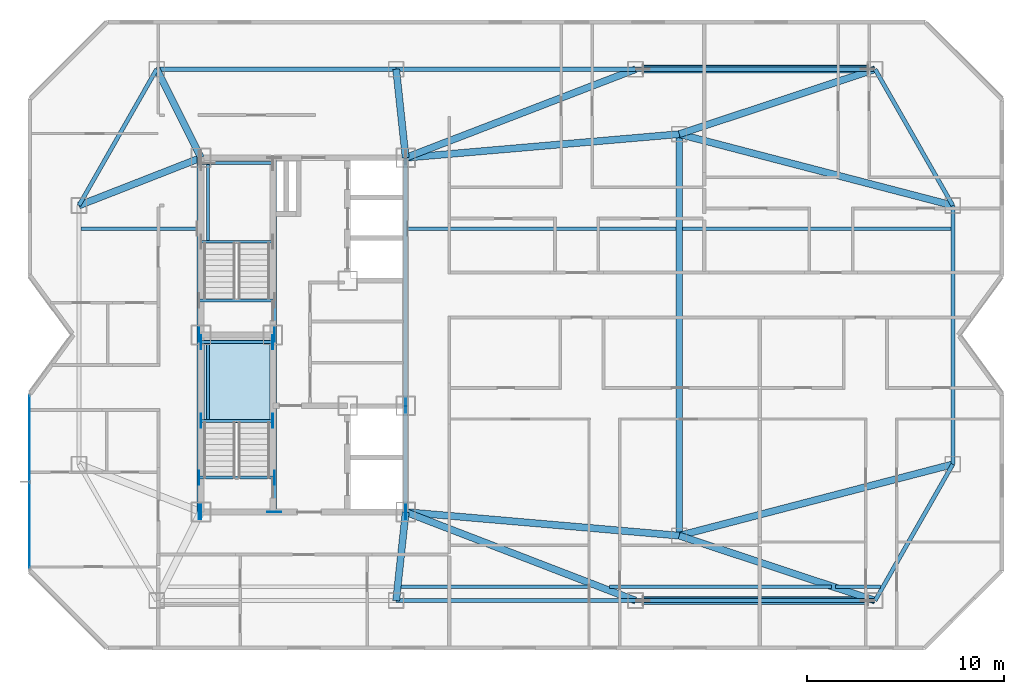
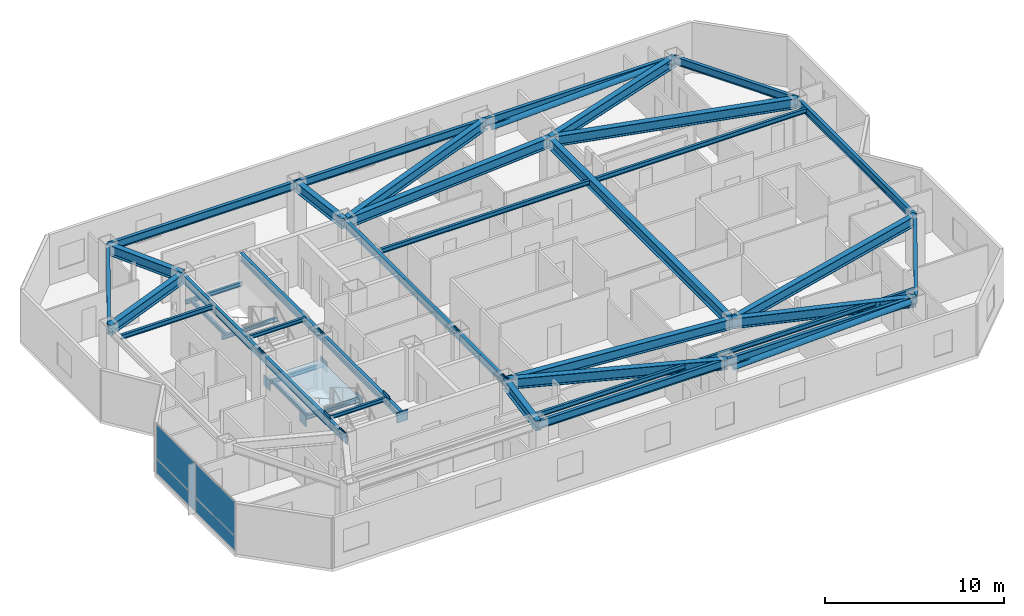
# One storey, part 5 of 14: 42 beams, 18 plates, 2 members, 1 slab, 2 elements without a shape of their own.
"""IFC4 building model written with IfcOpenShell, lengths in metres."""

from ifc_helpers import new_model, si_unit, direction, frame, origin, origin_2d, place, context, subcontext, project, spatial, polyline, rectangle, hollow_circle, i_section, outline, extrude, material, layer, layer_set, material_profile, profile_set, type_object, element, aggregate, save


model = new_model("IFC4")

# Units and contexts
model_context = context("Model", 3, precision=1e-05, world=origin(), true_north=direction((0.0, 1.0)))
body_context = subcontext(model_context, "Body", "Model", "MODEL_VIEW")
ifc_project = project(units=[si_unit("LENGTHUNIT", "METRE"), si_unit("AREAUNIT", "SQUARE_METRE"), si_unit("VOLUMEUNIT", "CUBIC_METRE"), si_unit("PLANEANGLEUNIT", "RADIAN"), si_unit("MASSUNIT", "GRAM", prefix="KILO")], contexts=[model_context])

# Site, building, storey
site_placement = place(None, origin())
site = spatial("IfcSite", under=ifc_project, at=site_placement, CompositionType="ELEMENT")
building_placement = place(site_placement, origin())
building = spatial("IfcBuilding", under=site, at=building_placement, Name="Khamvora Tower", CompositionType="ELEMENT")
storey_placement = place(building_placement, frame((0.0, 0.0, 242.75)))
storey = spatial("IfcBuildingStorey", under=building, at=storey_placement, Name="L62", CompositionType="ELEMENT", Elevation=242.75)

# Beams
ifc_material_1 = material(Name="Steel S355", Category="steel")
ifc_material_profile_1 = material_profile(ifc_material_1, i_section(OverallWidth=0.166015625, OverallDepth=0.31298828125, WebThickness=0.007080078125, FlangeThickness=0.010986328125, FilletRadius=0.010009765625, at=origin_2d()), Name="W310x45")
ifc_profile_set_1 = profile_set([ifc_material_profile_1], Name="Steel S355")
beam_type_1 = type_object("IfcBeamType", Name="BM-JS-W310x45", PredefinedType="JOIST", material=ifc_profile_set_1)
beam_1_placement = place(storey_placement, frame((39.166015625, 15.199951171875, 3.27392578125), z_axis=(1.0, 0.0, 0.0), x_axis=(0.0, 1.0, 0.0)))
element("IfcBeam", 1, at=beam_1_placement, inside=storey, type_object=beam_type_1, Name="L62 secondary floor joist 02", PredefinedType="JOIST", context=body_context, shape_type="SweptSolid", body=[
    extrude(i_section(OverallWidth=0.166015625, OverallDepth=0.31298828125, WebThickness=0.007080078125, FlangeThickness=0.010986328125, FilletRadius=0.010009765625, at=origin_2d()), origin(), (0.0, 0.0, 1.0), 9.611083984375),
])
beam_2_placement = place(storey_placement, frame((49.75390625, 15.199951171875, 3.27392578125), z_axis=(1.0, 0.0, 0.0), x_axis=(0.0, 1.0, 0.0)))
element("IfcBeam", 2, at=beam_2_placement, inside=storey, type_object=beam_type_1, Name="L62 secondary floor joist 03", PredefinedType="JOIST", context=body_context, shape_type="SweptSolid", body=[
    extrude(i_section(OverallWidth=0.166015625, OverallDepth=0.31298828125, WebThickness=0.007080078125, FlangeThickness=0.010986328125, FilletRadius=0.010009765625, at=origin_2d()), origin(), (0.0, 0.0, 1.0), 11.2900390625),
])
beam_3_placement = place(storey_placement, frame((61.23388671875, 15.199951171875, 3.27392578125), z_axis=(1.0, 0.0, 0.0), x_axis=(0.0, 1.0, 0.0)))
element("IfcBeam", 3, at=beam_3_placement, inside=storey, type_object=beam_type_1, Name="L62 secondary floor joist 04", PredefinedType="JOIST", context=body_context, shape_type="SweptSolid", body=[
    extrude(i_section(OverallWidth=0.166015625, OverallDepth=0.31298828125, WebThickness=0.007080078125, FlangeThickness=0.010986328125, FilletRadius=0.010009765625, at=origin_2d()), origin(), (0.0, 0.0, 1.0), 2.300048828125),
])
beam_4_placement = place(storey_placement, frame((22.89892578125, 33.39990234375, 3.27392578125), z_axis=(1.0, 0.0, 0.0), x_axis=(0.0, 1.0, 0.0)))
element("IfcBeam", 4, at=beam_4_placement, inside=storey, type_object=beam_type_1, Name="L62 secondary floor joist 05", PredefinedType="JOIST", context=body_context, shape_type="SweptSolid", body=[
    extrude(i_section(OverallWidth=0.166015625, OverallDepth=0.31298828125, WebThickness=0.007080078125, FlangeThickness=0.010986328125, FilletRadius=0.010009765625, at=origin_2d()), origin(), (0.0, 0.0, 1.0), 5.901123046875),
])
beam_5_placement = place(storey_placement, frame((39.4990234375, 33.39990234375, 3.27392578125), z_axis=(1.0, 0.0, 0.0), x_axis=(0.0, 1.0, 0.0)))
element("IfcBeam", 5, at=beam_5_placement, inside=storey, type_object=beam_type_1, Name="L62 secondary floor joist 06", PredefinedType="JOIST", context=body_context, shape_type="SweptSolid", body=[
    extrude(i_section(OverallWidth=0.166015625, OverallDepth=0.31298828125, WebThickness=0.007080078125, FlangeThickness=0.010986328125, FilletRadius=0.010009765625, at=origin_2d()), origin(), (0.0, 0.0, 1.0), 13.6279296875),
])
beam_6_placement = place(storey_placement, frame((53.471923828125, 33.39990234375, 3.27392578125), z_axis=(1.0, 0.0, 0.0), x_axis=(0.0, 1.0, 0.0)))
element("IfcBeam", 6, at=beam_6_placement, inside=storey, type_object=beam_type_1, Name="L62 secondary floor joist 07", PredefinedType="JOIST", context=body_context, shape_type="SweptSolid", body=[
    extrude(i_section(OverallWidth=0.166015625, OverallDepth=0.31298828125, WebThickness=0.007080078125, FlangeThickness=0.010986328125, FilletRadius=0.010009765625, at=origin_2d()), origin(), (0.0, 0.0, 1.0), 13.628173828125),
])
ifc_material_profile_2 = material_profile(ifc_material_1, i_section(OverallWidth=0.14697265625, OverallDepth=0.261962890625, WebThickness=0.007080078125, FlangeThickness=0.010986328125, FilletRadius=0.008056640625, at=origin_2d()), Name="W250x39")
ifc_profile_set_2 = profile_set([ifc_material_profile_2], Name="Steel S355")
beam_type_2 = type_object("IfcBeamType", Name="BM-LN-W250x39", PredefinedType="LINTEL", material=ifc_profile_set_2)
for number, where, z_axis, x_axis, name in (
    (7, (29.0, 23.635009765625, 1.493896484375), (1.0, 0.0, 0.0), (0.0, 1.0, 0.0), "L62 ST-01 half-landing support beam 1.1"),
    (8, (29.0, 27.6298828125, 1.493896484375), (1.0, 0.0, 0.0), (0.0, 1.0, 0.0), "L62 ST-01 half-landing support beam 1.2"),
):
    element("IfcBeam", number, at=place(storey_placement, frame(where, z_axis=z_axis, x_axis=x_axis)), inside=storey, type_object=beam_type_2, Name=name, PredefinedType="LINTEL", context=body_context, shape_type="SweptSolid", body=[
        extrude(i_section(OverallWidth=0.14697265625, OverallDepth=0.261962890625, WebThickness=0.007080078125, FlangeThickness=0.010986328125, FilletRadius=0.008056640625, at=origin_2d()), origin(), (0.0, 0.0, 1.0), 3.64990234375),
    ])
beam_7_placement = place(storey_placement, frame((29.35009765625, 23.635009765625, 1.493896484375), z_axis=(0.0, 1.0, 0.0), x_axis=(-1.0, 0.0, 0.0)))
element("IfcBeam", 9, at=beam_7_placement, inside=storey, type_object=beam_type_2, Name="L62 ST-01 half-landing edge stringer 1", PredefinedType="LINTEL", context=body_context, shape_type="SweptSolid", body=[
    extrude(i_section(OverallWidth=0.14697265625, OverallDepth=0.261962890625, WebThickness=0.007080078125, FlangeThickness=0.010986328125, FilletRadius=0.008056640625, at=origin_2d()), origin(), (0.0, 0.0, 1.0), 3.994873046875),
])
for number, where, z_axis, x_axis, name in (
    (10, (29.0, 32.735107421875, 1.493896484375), (1.0, 0.0, 0.0), (0.0, 1.0, 0.0), "L62 ST-02 half-landing support beam 1.1"),
    (11, (29.0, 36.72998046875, 1.493896484375), (1.0, 0.0, 0.0), (0.0, 1.0, 0.0), "L62 ST-02 half-landing support beam 1.2"),
):
    element("IfcBeam", number, at=place(storey_placement, frame(where, z_axis=z_axis, x_axis=x_axis)), inside=storey, type_object=beam_type_2, Name=name, PredefinedType="LINTEL", context=body_context, shape_type="SweptSolid", body=[
        extrude(i_section(OverallWidth=0.14697265625, OverallDepth=0.261962890625, WebThickness=0.007080078125, FlangeThickness=0.010986328125, FilletRadius=0.008056640625, at=origin_2d()), origin(), (0.0, 0.0, 1.0), 3.64990234375),
    ])
beam_8_placement = place(storey_placement, frame((29.35009765625, 32.735107421875, 1.493896484375), z_axis=(0.0, 1.0, 0.0), x_axis=(-1.0, 0.0, 0.0)))
element("IfcBeam", 12, at=beam_8_placement, inside=storey, type_object=beam_type_2, Name="L62 ST-02 half-landing edge stringer 1", PredefinedType="LINTEL", context=body_context, shape_type="SweptSolid", body=[
    extrude(i_section(OverallWidth=0.14697265625, OverallDepth=0.261962890625, WebThickness=0.007080078125, FlangeThickness=0.010986328125, FilletRadius=0.008056640625, at=origin_2d()), origin(), (0.0, 0.0, 1.0), 3.994873046875),
])
for number, where, z_axis, x_axis, name in (
    (13, (28.89990234375, 20.75, 3.303955078125), (1.0, 0.0, 0.0), (0.0, 1.0, 0.0), "L62 exit stair ST-01 landing trimmer beam"),
    (14, (28.89990234375, 29.75, 3.303955078125), (1.0, 0.0, 0.0), (0.0, 1.0, 0.0), "L62 exit stair ST-02 landing trimmer beam"),
):
    element("IfcBeam", number, at=place(storey_placement, frame(where, z_axis=z_axis, x_axis=x_axis)), inside=storey, type_object=beam_type_2, Name=name, PredefinedType="LINTEL", context=body_context, shape_type="SweptSolid", body=[
        extrude(i_section(OverallWidth=0.14697265625, OverallDepth=0.261962890625, WebThickness=0.007080078125, FlangeThickness=0.010986328125, FilletRadius=0.008056640625, at=origin_2d()), origin(), (0.0, 0.0, 1.0), 3.830078125),
    ])
ifc_material_profile_3 = material_profile(ifc_material_1, i_section(OverallWidth=0.35498046875, OverallDepth=0.695068359375, WebThickness=0.014892578125, FlangeThickness=0.02490234375, FilletRadius=0.01611328125, at=origin_2d()), Name="W690x217")
ifc_profile_set_3 = profile_set([ifc_material_profile_3], Name="Steel S355")
beam_type_3 = type_object("IfcBeamType", Name="BM-PG-W690x217", PredefinedType="BEAM", material=ifc_profile_set_3)
beam_9_placement = place(storey_placement, frame((53.300048828125, 17.800048828125, 3.0830078125), z_axis=(0.0, 1.0, 0.0), x_axis=(-1.0, 0.0, 0.0)))
element("IfcBeam", 15, at=beam_9_placement, inside=storey, type_object=beam_type_3, Name="L62 longitudinal frame girder M1-M2", PredefinedType="BEAM", context=body_context, shape_type="SweptSolid", body=[
    extrude(i_section(OverallWidth=0.35498046875, OverallDepth=0.695068359375, WebThickness=0.014892578125, FlangeThickness=0.02490234375, FilletRadius=0.01611328125, at=origin_2d()), origin(), (0.0, 0.0, 1.0), 20.39990234375),
])
beam_10_placement = place(storey_placement, frame((39.39990234375, 19.0, 3.0830078125), z_axis=(-0.106700735484, -0.994291181218, 0.0), x_axis=(0.994291181218, -0.106700735484, 0.0)))
element("IfcBeam", 16, at=beam_10_placement, inside=storey, type_object=beam_type_3, Name="L62 primary floor girder S2", PredefinedType="BEAM", context=body_context, shape_type="SweptSolid", body=[
    extrude(i_section(OverallWidth=0.35498046875, OverallDepth=0.695068359375, WebThickness=0.014892578125, FlangeThickness=0.02490234375, FilletRadius=0.01611328125, at=origin_2d()), origin(), (0.0, 0.0, 1.0), 4.52587890625),
])
beam_11_placement = place(storey_placement, frame((39.39990234375, 19.0, 3.0830078125), z_axis=(0.933171601475, -0.359431164759, 0.0), x_axis=(0.359431164759, 0.933171601475, 0.0)))
element("IfcBeam", 17, at=beam_11_placement, inside=storey, type_object=beam_type_3, Name="L62 primary floor girder S3", PredefinedType="BEAM", context=body_context, shape_type="SweptSolid", body=[
    extrude(i_section(OverallWidth=0.35498046875, OverallDepth=0.695068359375, WebThickness=0.014892578125, FlangeThickness=0.02490234375, FilletRadius=0.01611328125, at=origin_2d()), origin(), (0.0, 0.0, 1.0), 12.519775390625),
])
beam_12_placement = place(storey_placement, frame((53.300048828125, 17.800048828125, 3.0830078125), z_axis=(0.949157330029, -0.314802101092, 0.0), x_axis=(0.314802101092, 0.949157330029, 0.0)))
element("IfcBeam", 18, at=beam_12_placement, inside=storey, type_object=beam_type_3, Name="L62 primary floor girder S4", PredefinedType="BEAM", context=body_context, shape_type="SweptSolid", body=[
    extrude(i_section(OverallWidth=0.35498046875, OverallDepth=0.695068359375, WebThickness=0.014892578125, FlangeThickness=0.02490234375, FilletRadius=0.01611328125, at=origin_2d()), origin(), (0.0, 0.0, 1.0), 10.48291015625),
])
beam_13_placement = place(storey_placement, frame((29.0, 37.0, 3.0830078125), z_axis=(-0.4472135955, 0.894427191, 0.0), x_axis=(-0.894427191, -0.4472135955, 0.0)))
element("IfcBeam", 19, at=beam_13_placement, inside=storey, type_object=beam_type_3, Name="L62 primary floor girder N1", PredefinedType="BEAM", context=body_context, shape_type="SweptSolid", body=[
    extrude(i_section(OverallWidth=0.35498046875, OverallDepth=0.695068359375, WebThickness=0.014892578125, FlangeThickness=0.02490234375, FilletRadius=0.01611328125, at=origin_2d()), origin(), (0.0, 0.0, 1.0), 5.03125),
])
beam_14_placement = place(storey_placement, frame((39.39990234375, 37.0, 3.0830078125), z_axis=(-0.106700735484, 0.994291181218, 0.0), x_axis=(-0.994291181218, -0.106700735484, 0.0)))
element("IfcBeam", 20, at=beam_14_placement, inside=storey, type_object=beam_type_3, Name="L62 primary floor girder N2", PredefinedType="BEAM", context=body_context, shape_type="SweptSolid", body=[
    extrude(i_section(OverallWidth=0.35498046875, OverallDepth=0.695068359375, WebThickness=0.014892578125, FlangeThickness=0.02490234375, FilletRadius=0.01611328125, at=origin_2d()), origin(), (0.0, 0.0, 1.0), 4.52587890625),
])
beam_15_placement = place(storey_placement, frame((39.39990234375, 37.0, 3.0830078125), z_axis=(0.933171601475, 0.359431164759, 0.0), x_axis=(-0.359431164759, 0.933171601475, 0.0)))
element("IfcBeam", 21, at=beam_15_placement, inside=storey, type_object=beam_type_3, Name="L62 primary floor girder N3", PredefinedType="BEAM", context=body_context, shape_type="SweptSolid", body=[
    extrude(i_section(OverallWidth=0.35498046875, OverallDepth=0.695068359375, WebThickness=0.014892578125, FlangeThickness=0.02490234375, FilletRadius=0.01611328125, at=origin_2d()), origin(), (0.0, 0.0, 1.0), 12.519775390625),
])
beam_16_placement = place(storey_placement, frame((53.300048828125, 38.199951171875, 3.0830078125), z_axis=(0.949157330029, 0.314802101092, 0.0), x_axis=(-0.314802101092, 0.949157330029, 0.0)))
element("IfcBeam", 22, at=beam_16_placement, inside=storey, type_object=beam_type_3, Name="L62 primary floor girder N4", PredefinedType="BEAM", context=body_context, shape_type="SweptSolid", body=[
    extrude(i_section(OverallWidth=0.35498046875, OverallDepth=0.695068359375, WebThickness=0.014892578125, FlangeThickness=0.02490234375, FilletRadius=0.01611328125, at=origin_2d()), origin(), (0.0, 0.0, 1.0), 10.48291015625),
])
beam_17_placement = place(storey_placement, frame((29.0, 37.0, 3.0830078125), z_axis=(-0.931294712743, -0.36426660294, 0.0), x_axis=(0.36426660294, -0.931294712743, 0.0)))
element("IfcBeam", 23, at=beam_17_placement, inside=storey, type_object=beam_type_3, Name="L62 primary floor girder W2", PredefinedType="BEAM", context=body_context, shape_type="SweptSolid", body=[
    extrude(i_section(OverallWidth=0.35498046875, OverallDepth=0.695068359375, WebThickness=0.014892578125, FlangeThickness=0.02490234375, FilletRadius=0.01611328125, at=origin_2d()), origin(), (0.0, 0.0, 1.0), 6.6572265625),
])
for number, where, z_axis, x_axis, name in (
    (24, (53.300048828125, 17.800048828125, 3.0830078125), (0.967635318494, 0.252352710314, 0.0), (-0.252352710314, 0.967635318494, 0.0), "L62 primary floor girder E1"),
    (25, (53.300048828125, 38.199951171875, 3.0830078125), (0.967635318494, -0.252352710314, 0.0), (0.252352710314, 0.967635318494, 0.0), "L62 primary floor girder E2"),
):
    element("IfcBeam", number, at=place(storey_placement, frame(where, z_axis=z_axis, x_axis=x_axis)), inside=storey, type_object=beam_type_3, Name=name, PredefinedType="BEAM", context=body_context, shape_type="SweptSolid", body=[
        extrude(i_section(OverallWidth=0.35498046875, OverallDepth=0.695068359375, WebThickness=0.014892578125, FlangeThickness=0.02490234375, FilletRadius=0.01611328125, at=origin_2d()), origin(), (0.0, 0.0, 1.0), 14.36474609375),
    ])
for number, where, z_axis, x_axis, name in (
    (26, (39.39990234375, 19.0, 3.0830078125), (0.996294564212, -0.08600663534, 0.0), (0.08600663534, 0.996294564212, 0.0), "L62 primary floor girder M1"),
    (27, (39.39990234375, 37.0, 3.0830078125), (0.996294564212, 0.08600663534, 0.0), (-0.08600663534, 0.996294564212, 0.0), "L62 primary floor girder M2"),
):
    element("IfcBeam", number, at=place(storey_placement, frame(where, z_axis=z_axis, x_axis=x_axis)), inside=storey, type_object=beam_type_3, Name=name, PredefinedType="BEAM", context=body_context, shape_type="SweptSolid", body=[
        extrude(i_section(OverallWidth=0.35498046875, OverallDepth=0.695068359375, WebThickness=0.014892578125, FlangeThickness=0.02490234375, FilletRadius=0.01611328125, at=origin_2d()), origin(), (0.0, 0.0, 1.0), 13.951904296875),
    ])
ifc_material_profile_4 = material_profile(ifc_material_1, i_section(OverallWidth=0.208984375, OverallDepth=0.532958984375, WebThickness=0.010009765625, FlangeThickness=0.01611328125, FilletRadius=0.013916015625, at=origin_2d()), Name="W530x92")
ifc_profile_set_4 = profile_set([ifc_material_profile_4], Name="Steel S355")
beam_type_4 = type_object("IfcBeamType", Name="BM-SP-W530x92", PredefinedType="SPANDREL", material=ifc_profile_set_4)
beam_18_placement = place(storey_placement, frame((38.9169921875, 14.5, 3.1630859375), z_axis=(1.0, 0.0, 0.0), x_axis=(0.0, 1.0, 0.0)))
element("IfcBeam", 28, at=beam_18_placement, inside=storey, type_object=beam_type_4, Name="L62 perimeter spandrel beam S2-S3", PredefinedType="SPANDREL", context=body_context, shape_type="SweptSolid", body=[
    extrude(i_section(OverallWidth=0.208984375, OverallDepth=0.532958984375, WebThickness=0.010009765625, FlangeThickness=0.01611328125, FilletRadius=0.013916015625, at=origin_2d()), origin(), (0.0, 0.0, 1.0), 12.166015625),
])
beam_19_placement = place(storey_placement, frame((51.0830078125, 14.5, 3.1630859375), z_axis=(1.0, 0.0, 0.0), x_axis=(0.0, 1.0, 0.0)))
element("IfcBeam", 29, at=beam_19_placement, inside=storey, type_object=beam_type_4, Name="L62 perimeter spandrel beam S3-S4", PredefinedType="SPANDREL", context=body_context, shape_type="SweptSolid", body=[
    extrude(i_section(OverallWidth=0.208984375, OverallDepth=0.532958984375, WebThickness=0.010009765625, FlangeThickness=0.01611328125, FilletRadius=0.013916015625, at=origin_2d()), origin(), (0.0, 0.0, 1.0), 12.1669921875),
])
beam_20_placement = place(storey_placement, frame((63.25, 14.5, 3.1630859375), z_axis=(0.495456118564, 0.868632968853, 0.0), x_axis=(-0.868632968853, 0.495456118564, 0.0)))
element("IfcBeam", 30, at=beam_20_placement, inside=storey, type_object=beam_type_4, Name="L62 perimeter spandrel beam S4-E1", PredefinedType="SPANDREL", context=body_context, shape_type="SweptSolid", body=[
    extrude(i_section(OverallWidth=0.208984375, OverallDepth=0.532958984375, WebThickness=0.010009765625, FlangeThickness=0.01611328125, FilletRadius=0.013916015625, at=origin_2d()), origin(), (0.0, 0.0, 1.0), 7.972412109375),
])
beam_21_placement = place(storey_placement, frame((67.199951171875, 21.425048828125, 3.1630859375), z_axis=(0.0, 1.0, 0.0), x_axis=(-1.0, 0.0, 0.0)))
element("IfcBeam", 31, at=beam_21_placement, inside=storey, type_object=beam_type_4, Name="L62 perimeter spandrel beam E1-E2", PredefinedType="SPANDREL", context=body_context, shape_type="SweptSolid", body=[
    extrude(i_section(OverallWidth=0.208984375, OverallDepth=0.532958984375, WebThickness=0.010009765625, FlangeThickness=0.01611328125, FilletRadius=0.013916015625, at=origin_2d()), origin(), (0.0, 0.0, 1.0), 13.14990234375),
])
beam_22_placement = place(storey_placement, frame((67.199951171875, 34.574951171875, 3.1630859375), z_axis=(-0.495456118564, 0.868632968853, 0.0), x_axis=(-0.868632968853, -0.495456118564, 0.0)))
element("IfcBeam", 32, at=beam_22_placement, inside=storey, type_object=beam_type_4, Name="L62 perimeter spandrel beam E2-N4", PredefinedType="SPANDREL", context=body_context, shape_type="SweptSolid", body=[
    extrude(i_section(OverallWidth=0.208984375, OverallDepth=0.532958984375, WebThickness=0.010009765625, FlangeThickness=0.01611328125, FilletRadius=0.013916015625, at=origin_2d()), origin(), (0.0, 0.0, 1.0), 7.972412109375),
])
beam_23_placement = place(storey_placement, frame((63.25, 41.5, 3.1630859375), z_axis=(-1.0, 0.0, 0.0), x_axis=(0.0, -1.0, 0.0)))
element("IfcBeam", 33, at=beam_23_placement, inside=storey, type_object=beam_type_4, Name="L62 perimeter spandrel beam N4-N3", PredefinedType="SPANDREL", context=body_context, shape_type="SweptSolid", body=[
    extrude(i_section(OverallWidth=0.208984375, OverallDepth=0.532958984375, WebThickness=0.010009765625, FlangeThickness=0.01611328125, FilletRadius=0.013916015625, at=origin_2d()), origin(), (0.0, 0.0, 1.0), 12.1669921875),
])
beam_24_placement = place(storey_placement, frame((51.0830078125, 41.5, 3.1630859375), z_axis=(-1.0, 0.0, 0.0), x_axis=(0.0, -1.0, 0.0)))
element("IfcBeam", 34, at=beam_24_placement, inside=storey, type_object=beam_type_4, Name="L62 perimeter spandrel beam N3-N2", PredefinedType="SPANDREL", context=body_context, shape_type="SweptSolid", body=[
    extrude(i_section(OverallWidth=0.208984375, OverallDepth=0.532958984375, WebThickness=0.010009765625, FlangeThickness=0.01611328125, FilletRadius=0.013916015625, at=origin_2d()), origin(), (0.0, 0.0, 1.0), 12.166015625),
])
beam_25_placement = place(storey_placement, frame((38.9169921875, 41.5, 3.1630859375), z_axis=(-1.0, 0.0, 0.0), x_axis=(0.0, -1.0, 0.0)))
element("IfcBeam", 35, at=beam_25_placement, inside=storey, type_object=beam_type_4, Name="L62 perimeter spandrel beam N2-N1", PredefinedType="SPANDREL", context=body_context, shape_type="SweptSolid", body=[
    extrude(i_section(OverallWidth=0.208984375, OverallDepth=0.532958984375, WebThickness=0.010009765625, FlangeThickness=0.01611328125, FilletRadius=0.013916015625, at=origin_2d()), origin(), (0.0, 0.0, 1.0), 12.1669921875),
])
beam_26_placement = place(storey_placement, frame((26.75, 41.5, 3.1630859375), z_axis=(-0.495456118564, -0.868632968853, 0.0), x_axis=(0.868632968853, -0.495456118564, 0.0)))
element("IfcBeam", 36, at=beam_26_placement, inside=storey, type_object=beam_type_4, Name="L62 perimeter spandrel beam N1-W2", PredefinedType="SPANDREL", context=body_context, shape_type="SweptSolid", body=[
    extrude(i_section(OverallWidth=0.208984375, OverallDepth=0.532958984375, WebThickness=0.010009765625, FlangeThickness=0.01611328125, FilletRadius=0.013916015625, at=origin_2d()), origin(), (0.0, 0.0, 1.0), 7.972412109375),
])
for number, where, z_axis, x_axis, name in (
    (37, (28.89990234375, 19.0, 3.1630859375), (0.0, 1.0, 0.0), (-1.0, 0.0, 0.0), "L62 core spine girder WS"),
    (38, (28.89990234375, 28.0, 3.1630859375), (0.0, 1.0, 0.0), (-1.0, 0.0, 0.0), "L62 core spine girder WN"),
    (39, (32.72998046875, 19.0, 3.1630859375), (0.0, 1.0, 0.0), (-1.0, 0.0, 0.0), "L62 core spine girder M1S"),
    (40, (32.72998046875, 28.0, 3.1630859375), (0.0, 1.0, 0.0), (-1.0, 0.0, 0.0), "L62 core spine girder M1N"),
):
    element("IfcBeam", number, at=place(storey_placement, frame(where, z_axis=z_axis, x_axis=x_axis)), inside=storey, type_object=beam_type_4, Name=name, PredefinedType="SPANDREL", context=body_context, shape_type="SweptSolid", body=[
        extrude(i_section(OverallWidth=0.208984375, OverallDepth=0.532958984375, WebThickness=0.010009765625, FlangeThickness=0.01611328125, FilletRadius=0.013916015625, at=origin_2d()), origin(), (0.0, 0.0, 1.0), 9.0),
    ])
beam_27_placement = place(storey_placement, frame((39.39990234375, 19.0, 3.1630859375), z_axis=(0.0, 1.0, 0.0), x_axis=(-1.0, 0.0, 0.0)))
element("IfcBeam", 41, at=beam_27_placement, inside=storey, type_object=beam_type_4, Name="L62 core spine girder ES", PredefinedType="SPANDREL", context=body_context, shape_type="SweptSolid", body=[
    extrude(i_section(OverallWidth=0.208984375, OverallDepth=0.532958984375, WebThickness=0.010009765625, FlangeThickness=0.01611328125, FilletRadius=0.013916015625, at=origin_2d()), origin(), (0.0, 0.0, 1.0), 5.39990234375),
])
beam_28_placement = place(storey_placement, frame((39.39990234375, 24.39990234375, 3.1630859375), z_axis=(0.0, 1.0, 0.0), x_axis=(-1.0, 0.0, 0.0)))
element("IfcBeam", 42, at=beam_28_placement, inside=storey, type_object=beam_type_4, Name="L62 core spine girder EN", PredefinedType="SPANDREL", context=body_context, shape_type="SweptSolid", body=[
    extrude(i_section(OverallWidth=0.208984375, OverallDepth=0.532958984375, WebThickness=0.010009765625, FlangeThickness=0.01611328125, FilletRadius=0.013916015625, at=origin_2d()), origin(), (0.0, 0.0, 1.0), 12.60009765625),
])

# Members
ifc_material_profile_5 = material_profile(ifc_material_1, hollow_circle(Radius=0.202880859375, WallThickness=0.01611328125, at=origin_2d()), Name="CHS406x16")
ifc_profile_set_5 = profile_set([ifc_material_profile_5], Name="Steel S355")
member_type = type_object("IfcMemberType", Name="MEM-BR-CHS406", PredefinedType="BRACE", material=ifc_profile_set_5)
for number, where, z_axis, x_axis, name in (
    (43, (51.462890625, 14.5, 2.695068359375), (0.999212836813, 0.0, 0.039669972868), (0.0, 1.0, 0.0), "L62 perimeter wind brace 1"),
    (44, (51.462890625, 41.5, 2.695068359375), (0.999212836813, 0.0, 0.039669972868), (0.0, 1.0, 0.0), "L62 perimeter wind brace 2"),
):
    element("IfcMember", number, at=place(storey_placement, frame(where, z_axis=z_axis, x_axis=x_axis)), inside=storey, type_object=member_type, Name=name, PredefinedType="BRACE", context=body_context, shape_type="SweptSolid", body=[
        extrude(hollow_circle(Radius=0.202880859375, WallThickness=0.01611328125, at=origin_2d()), origin(), (0.0, 0.0, 1.0), 11.416259765625),
    ])

# Curtain wall, plates
ifc_material_2 = material(Name="Anodised Aluminium 6063-T6", Category="aluminium")
curtain_wall_type = type_object("IfcCurtainWallType", Name="CW-SYS-05", PredefinedType="NOTDEFINED", material=ifc_material_2)
curtain_wall_placement = place(storey_placement, origin())
curtain_wall = element("IfcCurtainWall", 45, at=curtain_wall_placement, inside=storey, type_object=curtain_wall_type, Name="L62 stick curtain wall 02.1", PredefinedType="NOTDEFINED")
ifc_material_3 = material(Name="Low-E Laminated Double Glazing", Category="glass")
ifc_layer_1 = layer(ifc_material_3, 0.02587890625)
ifc_layer_set_1 = layer_set([ifc_layer_1], Name="Low-E Laminated Double Glazing")
plate_type_1 = type_object("IfcPlateType", Name="CW-SYS-05-PNL", PredefinedType="CURTAIN_PANEL", material=ifc_layer_set_1)
plate_1_placement = place(storey_placement, frame((20.300048828125, 18.334716796875, 0.06005859375), z_axis=(0.0, 0.0, 1.0), x_axis=(0.0, 1.0, 0.0)))
plate_1 = element("IfcPlate", 46, at=plate_1_placement, type_object=plate_type_1, Name="CW-05 panel 1.1", PredefinedType="CURTAIN_PANEL", context=body_context, shape_type="SweptSolid", body=[
    extrude(rectangle(XDim=4.341552734375, YDim=0.02587890625, at=origin_2d()), origin(), (0.0, 0.0, 1.0), 0.9599609375),
])
plate_2_placement = place(storey_placement, frame((20.300048828125, 18.334716796875, 1.080078125), z_axis=(0.0, 0.0, 1.0), x_axis=(0.0, 1.0, 0.0)))
plate_2 = element("IfcPlate", 47, at=plate_2_placement, type_object=plate_type_1, Name="CW-05 panel 1.2", PredefinedType="CURTAIN_PANEL", context=body_context, shape_type="SweptSolid", body=[
    extrude(rectangle(XDim=4.341552734375, YDim=0.02587890625, at=origin_2d()), origin(), (0.0, 0.0, 1.0), 2.2900390625),
])
plate_3_placement = place(storey_placement, frame((20.300048828125, 22.736328125, 0.06005859375), z_axis=(0.0, 0.0, 1.0), x_axis=(0.0, 1.0, 0.0)))
plate_3 = element("IfcPlate", 48, at=plate_3_placement, type_object=plate_type_1, Name="CW-05 panel 2.1", PredefinedType="CURTAIN_PANEL", context=body_context, shape_type="SweptSolid", body=[
    extrude(rectangle(XDim=4.341552734375, YDim=0.02587890625, at=origin_2d()), origin(), (0.0, 0.0, 1.0), 0.9599609375),
])
plate_4_placement = place(storey_placement, frame((20.300048828125, 22.736328125, 1.080078125), z_axis=(0.0, 0.0, 1.0), x_axis=(0.0, 1.0, 0.0)))
plate_4 = element("IfcPlate", 49, at=plate_4_placement, type_object=plate_type_1, Name="CW-05 panel 2.2", PredefinedType="CURTAIN_PANEL", context=body_context, shape_type="SweptSolid", body=[
    extrude(rectangle(XDim=4.341552734375, YDim=0.02587890625, at=origin_2d()), origin(), (0.0, 0.0, 1.0), 2.2900390625),
])
aggregate(curtain_wall, [plate_1, plate_2, plate_3, plate_4])

# Plates
ifc_material_4 = material(Name="Steel S460", Category="steel")
ifc_layer_2 = layer(ifc_material_4, 0.034912109375)
ifc_layer_set_2 = layer_set([ifc_layer_2], Name="Steel S460")
plate_type_2 = type_object("IfcPlateType", Name="PL-EMB-35", PredefinedType="SHEET", material=ifc_layer_set_2)
for number, where, z_axis, x_axis, name in (
    (50, (29.0, 23.635009765625, 1.1337890625), (0.0, 0.0, 1.0), (1.0, 0.0, 0.0), "L62 core shear wall cast-in embed plate 1802"),
    (51, (32.64990234375, 23.635009765625, 1.1337890625), (0.0, 0.0, 1.0), (1.0, 0.0, 0.0), "L62 core shear wall cast-in embed plate 1803"),
    (52, (29.0, 27.6298828125, 1.1337890625), (0.0, 0.0, 1.0), (1.0, 0.0, 0.0), "L62 core shear wall cast-in embed plate 1804"),
    (53, (32.64990234375, 27.6298828125, 1.1337890625), (0.0, 0.0, 1.0), (1.0, 0.0, 0.0), "L62 core shear wall cast-in embed plate 1805"),
    (54, (29.0, 19.0, 2.72314453125), (0.0, 0.0, 1.0), (1.0, 0.0, 0.0), "L62 core shear wall cast-in embed plate 1811"),
    (55, (39.39990234375, 19.0, 2.72314453125), (0.0, 0.0, 1.0), (1.0, 0.0, 0.0), "L62 core shear wall cast-in embed plate 1812"),
    (56, (28.89990234375, 19.0, 2.80322265625), (0.0, 0.0, 1.0), (1.0, 0.0, 0.0), "L62 core shear wall cast-in embed plate 1815"),
    (57, (28.89990234375, 28.0, 2.80322265625), (0.0, 0.0, 1.0), (1.0, 0.0, 0.0), "L62 core shear wall cast-in embed plate 1816"),
):
    element("IfcPlate", number, at=place(storey_placement, frame(where, z_axis=z_axis, x_axis=x_axis)), inside=storey, type_object=plate_type_2, Name=name, PredefinedType="SHEET", context=body_context, shape_type="SweptSolid", body=[
        extrude(rectangle(XDim=0.034912109375, YDim=0.719970703125, at=origin_2d()), origin(), (0.0, 0.0, 1.0), 0.719970703125),
    ])
plate_5_placement = place(storey_placement, frame((32.72998046875, 19.0, 2.80322265625), z_axis=(0.0, 0.0, 1.0), x_axis=(1.0, 0.0, 0.0)))
element("IfcPlate", 58, at=plate_5_placement, inside=storey, type_object=plate_type_2, Name="L62 core shear wall cast-in embed plate 1818", PredefinedType="SHEET", context=body_context, shape_type="SweptSolid", body=[
    extrude(rectangle(XDim=0.719970703125, YDim=0.034912109375, at=origin_2d()), origin(), (0.0, 0.0, 1.0), 0.719970703125),
])
for number, where, z_axis, x_axis, name in (
    (59, (32.72998046875, 28.0, 2.80322265625), (0.0, 0.0, 1.0), (1.0, 0.0, 0.0), "L62 core shear wall cast-in embed plate 1819"),
    (60, (39.39990234375, 19.0, 2.80322265625), (0.0, 0.0, 1.0), (1.0, 0.0, 0.0), "L62 core shear wall cast-in embed plate 1821"),
    (61, (39.39990234375, 24.39990234375, 2.80322265625), (0.0, 0.0, 1.0), (1.0, 0.0, 0.0), "L62 core shear wall cast-in embed plate 1822"),
    (62, (28.89990234375, 20.75, 2.94384765625), (0.0, 0.0, 1.0), (1.0, 0.0, 0.0), "L62 core shear wall cast-in embed plate 1824"),
    (63, (32.72998046875, 20.75, 2.94384765625), (0.0, 0.0, 1.0), (1.0, 0.0, 0.0), "L62 core shear wall cast-in embed plate 1825"),
):
    element("IfcPlate", number, at=place(storey_placement, frame(where, z_axis=z_axis, x_axis=x_axis)), inside=storey, type_object=plate_type_2, Name=name, PredefinedType="SHEET", context=body_context, shape_type="SweptSolid", body=[
        extrude(rectangle(XDim=0.034912109375, YDim=0.719970703125, at=origin_2d()), origin(), (0.0, 0.0, 1.0), 0.719970703125),
    ])

# Stair, slab
ifc_material_5 = material(Name="Concrete C40/50", Category="concrete")
stair_type = type_object("IfcStairType", Name="STR-ST-01", PredefinedType="HALF_TURN_STAIR", material=ifc_material_5)
stair_placement = place(storey_placement, origin())
stair = element("IfcStair", 64, at=stair_placement, inside=storey, type_object=stair_type, Name="L62 South Tower Exit Stair ST-01", PredefinedType="HALF_TURN_STAIR")
ifc_layer_3 = layer(ifc_material_5, 0.199951171875)
ifc_layer_set_3 = layer_set([ifc_layer_3], Name="Concrete C40/50")
slab_type = type_object("IfcSlabType", Name="SLB-LND-200", PredefinedType="LANDING", material=ifc_layer_set_3)
slab_placement = place(storey_placement, frame((0.0, 0.0, 1.625)))
slab = element("IfcSlab", 65, at=slab_placement, type_object=slab_type, Name="ST-01 landing 1", PredefinedType="LANDING", context=body_context, shape_type="SweptSolid", body=[
    extrude(outline(polyline([(32.5, 23.514892578125), (32.5, 27.75), (29.14990234375, 27.75), (29.14990234375, 23.514892578125), (32.5, 23.514892578125)])), origin(), (0.0, 0.0, 1.0), 0.199951171875),
])
aggregate(stair, [slab])

save(model, "model.ifc")
